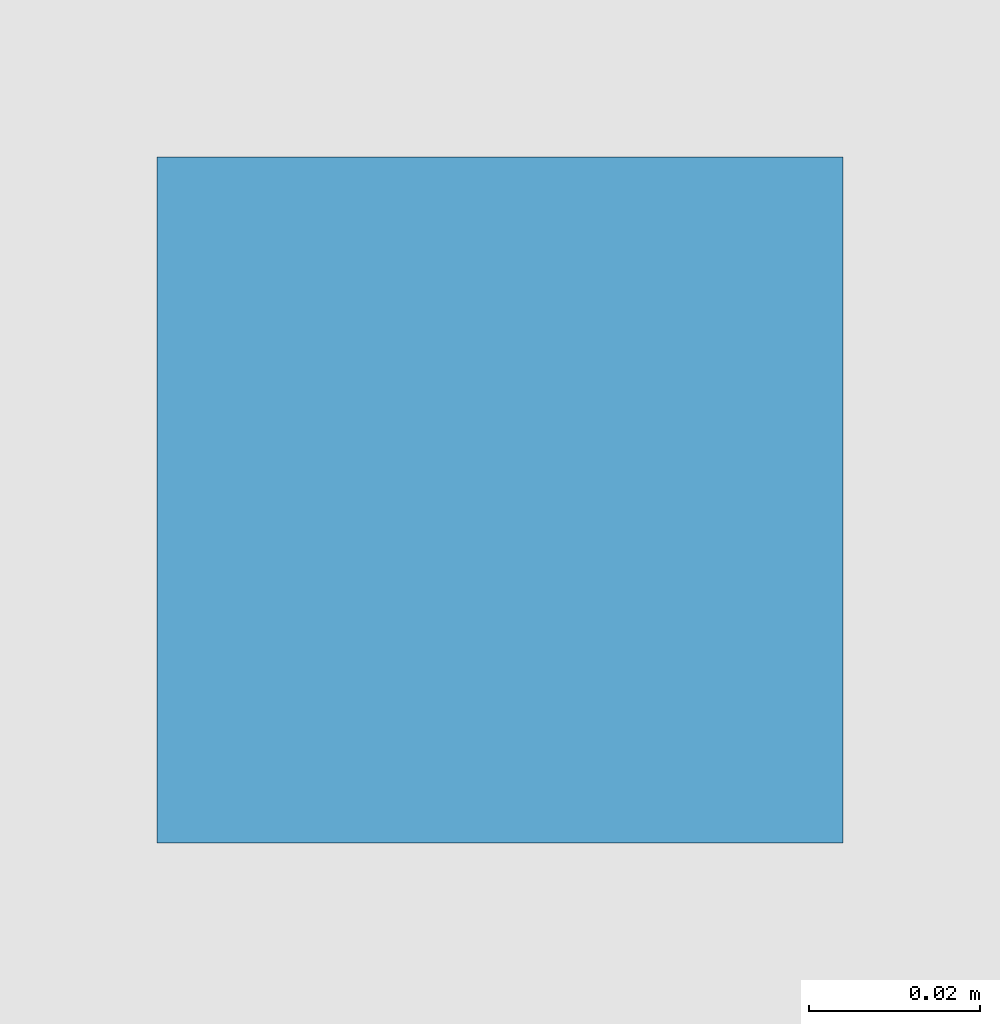
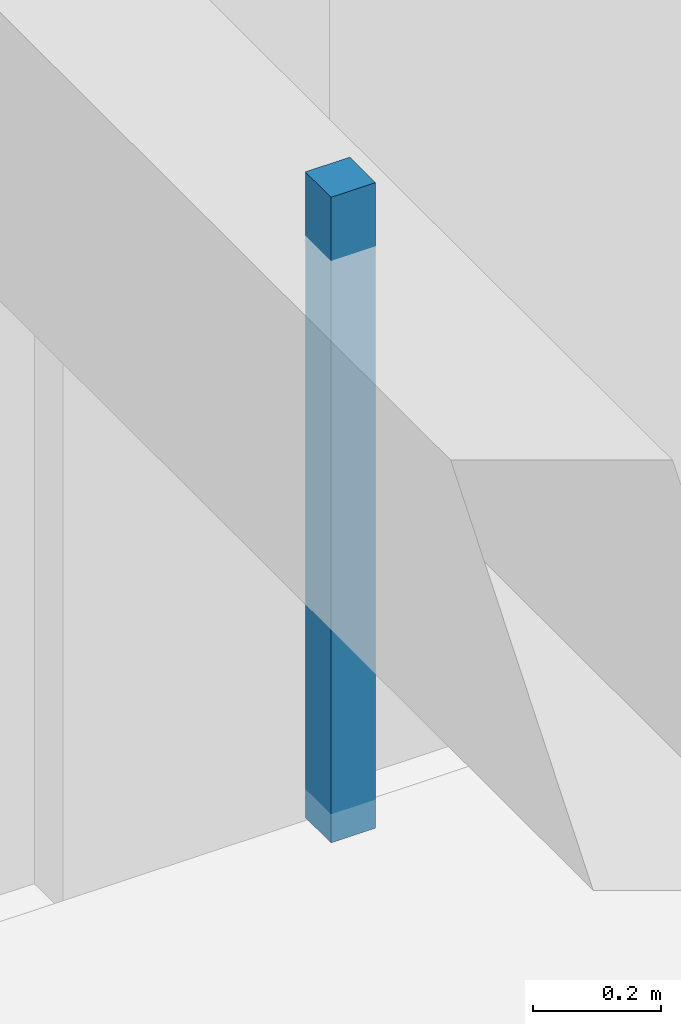
# One storey, part 121 of 144: 1 discrete accessory.
"""IFC4 building model written with IfcOpenShell, lengths in metres."""

from ifc_helpers import new_model, si_unit, direction, frame, origin, origin_2d, place, context, subcontext, project, spatial, rectangle, extrude, material, layer, layer_set, type_object, element, save


model = new_model("IFC4")

# Units and contexts
model_context = context("Model", 3, precision=1e-05, world=origin(), true_north=direction((0.0, 1.0)))
body_context = subcontext(model_context, "Body", "Model", "MODEL_VIEW")
ifc_project = project(units=[si_unit("LENGTHUNIT", "METRE"), si_unit("AREAUNIT", "SQUARE_METRE"), si_unit("VOLUMEUNIT", "CUBIC_METRE"), si_unit("PLANEANGLEUNIT", "RADIAN"), si_unit("MASSUNIT", "GRAM", prefix="KILO")], contexts=[model_context])

# Site, building, storey
site_placement = place(None, origin())
site = spatial("IfcSite", under=ifc_project, at=site_placement, CompositionType="ELEMENT")
building_placement = place(site_placement, origin())
building = spatial("IfcBuilding", under=site, at=building_placement, Name="Varnabhumi Central Station", CompositionType="ELEMENT")
storey_placement = place(building_placement, frame((0.0, 0.0, 4.800048828125)))
storey = spatial("IfcBuildingStorey", under=building, at=storey_placement, Name="L01", CompositionType="ELEMENT", Elevation=4.800048828125)

# Discrete accessory
ifc_material = material(Name="Structural steel E350", Category="steel")
ifc_layer = layer(ifc_material, 0.159912109375, Name="Structural steel E350", Category="steel")
ifc_layer_set = layer_set([ifc_layer], Name="Structural steel E350")
discrete_accessory_type = type_object("IfcDiscreteAccessoryType", Name="ACC-SHADE-BRKT", PredefinedType="BRACKET", material=ifc_layer_set)
discrete_accessory_placement = place(storey_placement, frame((12.0, 111.5, 3.43994140625), z_axis=(0.0, 0.0, 1.0), x_axis=(1.0, 0.0, 0.0)))
element("IfcDiscreteAccessory", 1, at=discrete_accessory_placement, inside=storey, type_object=discrete_accessory_type, Name="Station Cafe and Refreshment Kitchen Ceiling Hanger", PredefinedType="BRACKET", context=body_context, shape_type="SweptSolid", body=[
    extrude(rectangle(XDim=0.080078125, YDim=0.080078125, at=origin_2d()), origin(), (0.0, 0.0, 1.0), 1.22998046875),
])

save(model, "model.ifc")
